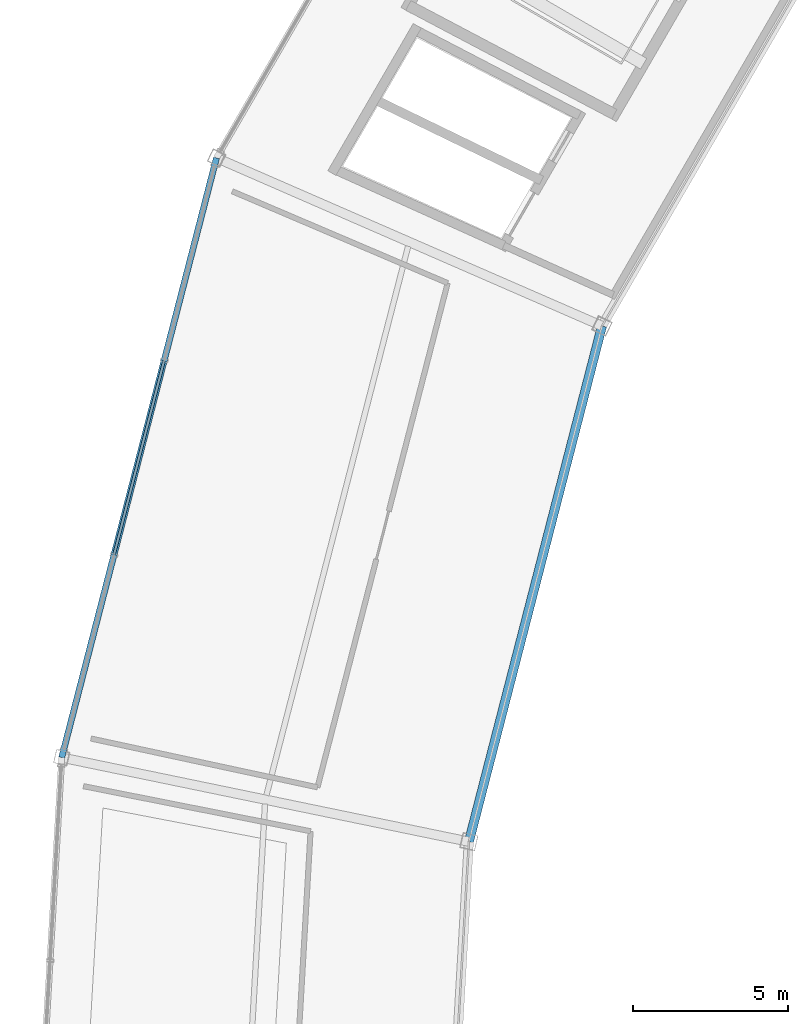
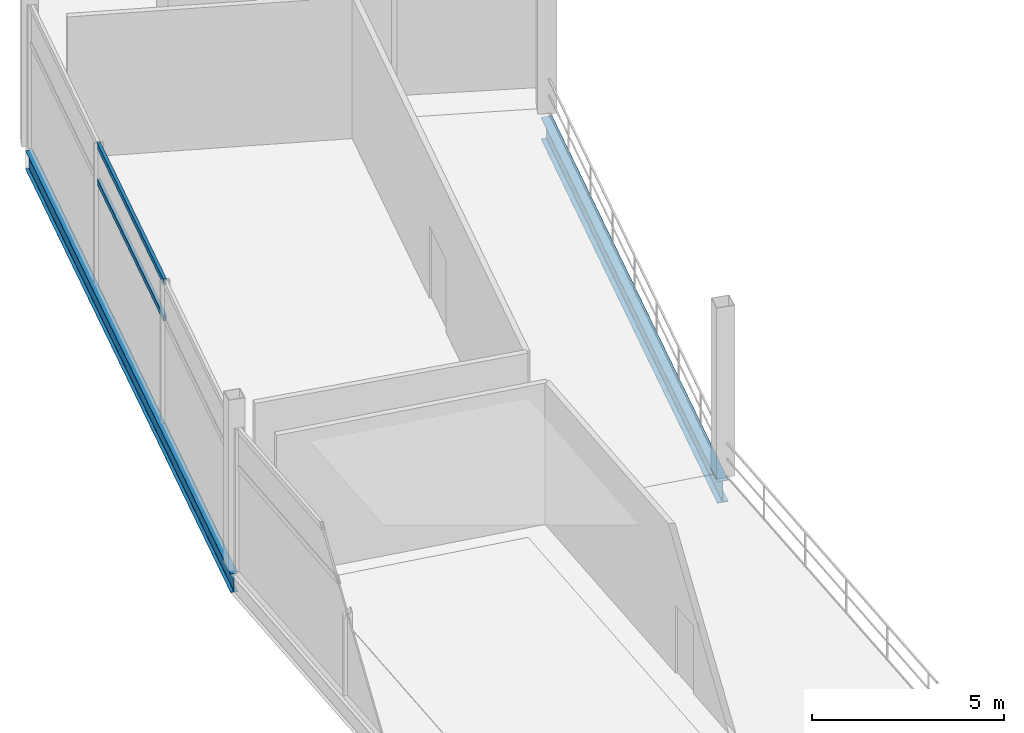
# One storey, part 40 of 103: 2 beams, 2 members, 1 element without a shape of its own.
"""IFC4 building model written with IfcOpenShell, lengths in metres."""

import ifcopenshell
import ifcopenshell.guid

model = None  # the IFC model being written
_history = None  # IfcOwnerHistory: only IFC2X3 demands one
_inside = {}  # id of a spatial element -> (the spatial element, [elements in it])
_under = {}  # id of a project, library or spatial element -> (it, [spatial elements below it])
_declared = {}  # id of a project -> (the project, [libraries it declares])
_typed = {}  # id of a type object -> (the type object, [elements of that type])
_made_of = {}  # id of a material, layer set ... -> (it, [elements and type objects made of it])


def new_model(schema):
    """Start an empty IFC model of exactly this schema.

    Asked for "IFC4X3", IfcOpenShell would pick the latest addendum, in which some entities
    have other attributes; the version numbers below select the first issue.
    IFC2X3 requires an IfcOwnerHistory on every rooted entity: one is made here for all.
    """
    global model, _history
    if schema == "IFC4X3":
        model = ifcopenshell.file(schema_version=(4, 3, 0, 0))
    else:
        model = ifcopenshell.file(schema=schema)
    _inside.clear()
    _under.clear()
    _declared.clear()
    _typed.clear()
    _made_of.clear()
    _history = None
    if model.schema == "IFC2X3":
        org = make("IfcOrganization", Name="unknown")
        user = make(
            "IfcPersonAndOrganization",
            ThePerson=make("IfcPerson", FamilyName="unknown"),
            TheOrganization=org,
        )
        app = make(
            "IfcApplication",
            ApplicationDeveloper=org,
            Version="unknown",
            ApplicationFullName="unknown",
            ApplicationIdentifier="unknown",
        )
        _history = make(
            "IfcOwnerHistory",
            OwningUser=user,
            OwningApplication=app,
            ChangeAction="ADDED",
            CreationDate=0,
        )
    return model


def make(cls, **values):
    """One entity of the class cls with the attributes given. An attribute that is None is left unset."""
    return model.create_entity(
        cls, **{name: value for name, value in values.items() if value is not None}
    )


def rooted(cls, **values):
    """An entity with a GlobalId (a new one), such as an element, a storey or a relation."""
    return make(cls, GlobalId=ifcopenshell.guid.new(), OwnerHistory=_history, **values)


def si_unit(unit_type, name, prefix=None):
    """IfcSIUnit, for example si_unit("LENGTHUNIT", "METRE", prefix="MILLI")."""
    return make("IfcSIUnit", UnitType=unit_type, Prefix=prefix, Name=name)


def assignment(units):
    """IfcUnitAssignment: the units of a project."""
    return None if units is None else make("IfcUnitAssignment", Units=units)


def point(xyz):
    """IfcCartesianPoint."""
    return None if xyz is None else make("IfcCartesianPoint", Coordinates=xyz)


def direction(xyz):
    """IfcDirection."""
    return None if xyz is None else make("IfcDirection", DirectionRatios=xyz)


def frame(location, z_axis=None, x_axis=None):
    """IfcAxis2Placement3D, a coordinate frame: its origin and axes. An axis left out is left unset."""
    return make(
        "IfcAxis2Placement3D",
        Location=point(location),
        Axis=direction(z_axis),
        RefDirection=direction(x_axis),
    )


def frame_2d(location, x_axis=None):
    """IfcAxis2Placement2D, a coordinate frame in the plane: its origin and x axis."""
    return make(
        "IfcAxis2Placement2D", Location=point(location), RefDirection=direction(x_axis)
    )


def origin():
    """The frame at (0, 0, 0) with its axes left unset."""
    return frame((0.0, 0.0, 0.0))


def origin_2d():
    """The frame at (0, 0) in the plane with its x axis left unset."""
    return frame_2d((0.0, 0.0))


def place(relative_to, where):
    """IfcLocalPlacement: puts the frame where relative to a parent placement (None: the world)."""
    return make(
        "IfcLocalPlacement", PlacementRelTo=relative_to, RelativePlacement=where
    )


def context(
    kind, dimensions, precision=None, world=None, true_north=None, identifier=None
):
    """IfcGeometricRepresentationContext, for example the 3D "Model" context."""
    return make(
        "IfcGeometricRepresentationContext",
        ContextIdentifier=identifier,
        ContextType=kind,
        CoordinateSpaceDimension=dimensions,
        Precision=precision,
        WorldCoordinateSystem=world,
        TrueNorth=true_north,
    )


def subcontext(parent, identifier, kind, view, scale=None):
    """IfcGeometricRepresentationSubContext, for example "Body" below "Model"."""
    return make(
        "IfcGeometricRepresentationSubContext",
        ContextIdentifier=identifier,
        ContextType=kind,
        ParentContext=parent,
        TargetScale=scale,
        TargetView=view,
    )


def project(units=None, contexts=None):
    """IfcProject with its units and contexts."""
    return rooted(
        "IfcProject",
        Name="project",
        RepresentationContexts=contexts,
        UnitsInContext=assignment(units),
    )


def spatial(cls, under=None, at=None, **own):
    """A site, building, storey or space (cls), placed at a placement, below another one or the project."""
    s = rooted(cls, ObjectPlacement=at, **own)
    if under is not None:
        _under.setdefault(under.id(), (under, []))[1].append(s)
    return s


def profile(cls, at=None, kind="AREA", **sizes):
    """A parametric profile (cls). Its sizes go by their IFC names, for example OverallWidth=200.0."""
    return make(cls, ProfileType=kind, Position=at, **sizes)


def hollow_rectangle(**sizes):
    """IfcRectangleHollowProfileDef."""
    return profile("IfcRectangleHollowProfileDef", **sizes)


def i_section(**sizes):
    """IfcIShapeProfileDef."""
    return profile("IfcIShapeProfileDef", **sizes)


def extrude(swept, where, along, depth):
    """IfcExtrudedAreaSolid: the profile swept, set in the frame where, extruded along a direction by depth."""
    return make(
        "IfcExtrudedAreaSolid",
        SweptArea=swept,
        Position=where,
        ExtrudedDirection=direction(along),
        Depth=depth,
    )


def shape(context_of_items, identifier, shape_type, items):
    """IfcShapeRepresentation: the items that make up one representation, for example the "Body"."""
    return make(
        "IfcShapeRepresentation",
        ContextOfItems=context_of_items,
        RepresentationIdentifier=identifier,
        RepresentationType=shape_type,
        Items=items,
    )


def material(Name=None, Category=None):
    """IfcMaterial."""
    return make("IfcMaterial", Name=Name, Category=Category)


def layer(
    of_material, thickness, ventilated=None, Name=None, Category=None, Priority=None
):
    """IfcMaterialLayer: one layer of a wall or slab, of a material (None: an air gap)."""
    return make(
        "IfcMaterialLayer",
        Material=of_material,
        LayerThickness=thickness,
        IsVentilated=ventilated,
        Name=Name,
        Category=Category,
        Priority=Priority,
    )


def layer_set(layers, Name=None):
    """IfcMaterialLayerSet."""
    return make("IfcMaterialLayerSet", MaterialLayers=layers, LayerSetName=Name)


def material_profile(
    of_material, cross_section, Name=None, Category=None, Priority=None
):
    """IfcMaterialProfile: a cross section and its material."""
    return make(
        "IfcMaterialProfile",
        Name=Name,
        Material=of_material,
        Profile=cross_section,
        Priority=Priority,
        Category=Category,
    )


def profile_set(profiles, Name=None, composite=None):
    """IfcMaterialProfileSet."""
    return make(
        "IfcMaterialProfileSet",
        Name=Name,
        MaterialProfiles=profiles,
        CompositeProfile=composite,
    )


def made_of(thing, what):
    """Note that an element or type object is made of a material, layer set ...; save() writes the relation."""
    if what is not None:
        _made_of.setdefault(what.id(), (what, []))[1].append(thing)
    return thing


def type_object(cls, material=None, **own):
    """A type object (cls), such as IfcWallType, which elements share."""
    return made_of(rooted(cls, **own), material)


def element(
    cls,
    number,
    at=None,
    inside=None,
    cuts=None,
    type_object=None,
    material=None,
    context=None,
    identifier="Body",
    shape_type=None,
    held_by="IfcProductDefinitionShape",
    body=None,
    shapes=None,
    **own,
):
    """One element of the class cls, such as IfcWall. Its Tag is "e" and its number.

    at: its placement. inside: the storey or other place that contains it. cuts: it is an
    opening in that element (IfcRelVoidsElement). A single representation is given by context,
    identifier, shape_type and body (its items); several are given by shapes. held_by: the class
    of the entity that holds the representations. save() writes the other relations.
    """
    e = rooted(cls, Tag="e%d" % number, ObjectPlacement=at, **own)
    if body is not None:
        shapes = [shape(context, identifier, shape_type, body)]
    if shapes is not None:
        e.Representation = make(held_by, Representations=shapes)
    if inside is not None:
        _inside.setdefault(inside.id(), (inside, []))[1].append(e)
    if cuts is not None:
        rooted(
            "IfcRelVoidsElement", RelatingBuildingElement=cuts, RelatedOpeningElement=e
        )
    if type_object is not None:
        _typed.setdefault(type_object.id(), (type_object, []))[1].append(e)
    return made_of(e, material)


def aggregate(whole, parts):
    """IfcRelAggregates: a whole, such as a stair, and the parts it consists of."""
    return rooted("IfcRelAggregates", RelatingObject=whole, RelatedObjects=parts)


def save(model, path):
    """Write the relations noted so far, then the file.

    IfcRelAggregates (storeys below a building ...), IfcRelContainedInSpatialStructure (elements
    in a storey), IfcRelDefinesByType, IfcRelAssociatesMaterial and IfcRelDeclares: one each for
    every whole, place, type object, material and project.
    """
    for whole, parts in _under.values():
        aggregate(whole, parts)
    for where, things in _inside.values():
        rooted(
            "IfcRelContainedInSpatialStructure",
            RelatedElements=things,
            RelatingStructure=where,
        )
    for kind, things in _typed.values():
        rooted("IfcRelDefinesByType", RelatedObjects=things, RelatingType=kind)
    for what, things in _made_of.values():
        rooted("IfcRelAssociatesMaterial", RelatedObjects=things, RelatingMaterial=what)
    for by, libraries in _declared.values():
        rooted("IfcRelDeclares", RelatingContext=by, RelatedDefinitions=libraries)
    model.write(path)


model = new_model("IFC4")

# Units and contexts
model_context = context("Model", 3, precision=1e-05, world=origin(), true_north=direction((0.0, 1.0)))
body_context = subcontext(model_context, "Body", "Model", "MODEL_VIEW")
ifc_project = project(units=[si_unit("LENGTHUNIT", "METRE"), si_unit("AREAUNIT", "SQUARE_METRE"), si_unit("VOLUMEUNIT", "CUBIC_METRE"), si_unit("PLANEANGLEUNIT", "RADIAN"), si_unit("MASSUNIT", "GRAM", prefix="KILO")], contexts=[model_context])

# Site, building, storey
site_placement = place(None, origin())
site = spatial("IfcSite", under=ifc_project, at=site_placement, CompositionType="ELEMENT")
building_placement = place(site_placement, origin())
building = spatial("IfcBuilding", under=site, at=building_placement, Name="Kazemori Nagisa Stadium", CompositionType="ELEMENT")
storey_placement = place(building_placement, frame((0.0, 0.0, 25.840087890625)))
storey = spatial("IfcBuildingStorey", under=building, at=storey_placement, Name="L05", CompositionType="ELEMENT", Elevation=25.840087890625)

# Beams
ifc_material_1 = material(Name="Steel SN490B", Category="steel")
ifc_material_profile_1 = material_profile(ifc_material_1, i_section(OverallWidth=0.300048828125, OverallDepth=0.699951171875, WebThickness=0.012939453125, FlangeThickness=0.02392578125, FilletRadius=0.01806640625, at=origin_2d()), Name="H-700x300x13x24")
ifc_profile_set_1 = profile_set([ifc_material_profile_1], Name="Steel SN490B")
beam_type_1 = type_object("IfcBeamType", Name="Beam_BG-H700", PredefinedType="BEAM", material=ifc_profile_set_1)
beam_1_placement = place(storey_placement, frame((46.55908203125, 135.32470703125, -0.610107421875), z_axis=(-0.249974673676, -0.968252375427, 0.0), x_axis=(0.968252375427, -0.249974673676, 0.0)))
element("IfcBeam", 1, at=beam_1_placement, inside=storey, type_object=beam_type_1, Name="Ring girder BG-H700 L05 R2-13", PredefinedType="BEAM", context=body_context, shape_type="SweptSolid", body=[
    extrude(i_section(OverallWidth=0.300048828125, OverallDepth=0.699951171875, WebThickness=0.012939453125, FlangeThickness=0.02392578125, FilletRadius=0.01806640625, at=origin_2d()), origin(), (0.0, 0.0, 1.0), 17.188232421875),
])
ifc_material_profile_2 = material_profile(ifc_material_1, i_section(OverallWidth=0.199951171875, OverallDepth=0.60009765625, WebThickness=0.010986328125, FlangeThickness=0.01708984375, FilletRadius=0.012939453125, at=origin_2d()), Name="H-600x200x11x17")
ifc_profile_set_2 = profile_set([ifc_material_profile_2], Name="Steel SN490B")
beam_type_2 = type_object("IfcBeamType", Name="Beam_BS-H600", PredefinedType="SPANDREL", material=ifc_profile_set_2)
beam_2_placement = place(storey_placement, frame((34.114990234375, 140.74951171875, -0.56005859375), z_axis=(-0.249964097999, -0.968255105699, 0.0), x_axis=(0.968255105699, -0.249964097999, 0.0)))
element("IfcBeam", 2, at=beam_2_placement, inside=storey, type_object=beam_type_2, Name="Ring girder BS-H600 L05 R3-13", PredefinedType="SPANDREL", context=body_context, shape_type="SweptSolid", body=[
    extrude(i_section(OverallWidth=0.199951171875, OverallDepth=0.60009765625, WebThickness=0.010986328125, FlangeThickness=0.01708984375, FilletRadius=0.012939453125, at=origin_2d()), origin(), (0.0, 0.0, 1.0), 19.986328125),
])

# Curtain wall, members
ifc_material_2 = material(Name="Anodised aluminium 6063-T5", Category="aluminium")
ifc_layer = layer(ifc_material_2, 0.239990234375, Name="Anodised aluminium 6063-T5", Category="aluminium")
ifc_layer_set = layer_set([ifc_layer], Name="Anodised aluminium 6063-T5")
curtain_wall_type = type_object("IfcCurtainWallType", Name="CW_L05R3_98", PredefinedType="USERDEFINED", material=ifc_layer_set)
curtain_wall_placement = place(storey_placement, origin())
curtain_wall = element("IfcCurtainWall", 3, at=curtain_wall_placement, inside=storey, type_object=curtain_wall_type, Name="Unitised curtain wall CW-L05R3-98 L05", ObjectType="UNITISED CURTAIN WALL", PredefinedType="USERDEFINED")
ifc_material_3 = material(Name="Aluminium 6063-T5 anodised", Category="aluminium")
ifc_material_profile_3 = material_profile(ifc_material_3, hollow_rectangle(XDim=0.090087890625, YDim=0.179931640625, WallThickness=0.0048828125, at=origin_2d()), Name="ALU-TRAN-90x180x5")
ifc_profile_set_3 = profile_set([ifc_material_profile_3], Name="Aluminium 6063-T5 anodised")
member_type = type_object("IfcMemberType", Name="Transom_T03", PredefinedType="USERDEFINED", material=ifc_profile_set_3)
member_1_placement = place(storey_placement, frame((32.423583984375, 134.197265625, 3.306884765625), z_axis=(-0.249962703007, -0.968255465828, 0.0), x_axis=(0.968255465828, -0.249962703007, 0.0)))
member_1 = element("IfcMember", 4, at=member_1_placement, type_object=member_type, Name="Curtain wall transom CW-L05R3-98-T2-mid", ObjectType="TRANSOM", PredefinedType="USERDEFINED", context=body_context, shape_type="SweptSolid", body=[
    extrude(hollow_rectangle(XDim=0.090087890625, YDim=0.179931640625, WallThickness=0.0048828125, at=origin_2d()), origin(), (0.0, 0.0, 1.0), 6.4521484375),
])
member_2_placement = place(storey_placement, frame((32.423583984375, 134.197265625, 4.4599609375), z_axis=(-0.249962703007, -0.968255465828, 0.0), x_axis=(0.968255465828, -0.249962703007, 0.0)))
member_2 = element("IfcMember", 5, at=member_2_placement, type_object=member_type, Name="Curtain wall transom CW-L05R3-98-T2-head", ObjectType="TRANSOM", PredefinedType="USERDEFINED", context=body_context, shape_type="SweptSolid", body=[
    extrude(hollow_rectangle(XDim=0.090087890625, YDim=0.179931640625, WallThickness=0.0048828125, at=origin_2d()), origin(), (0.0, 0.0, 1.0), 6.4521484375),
])
aggregate(curtain_wall, [member_1, member_2])

save(model, "model.ifc")
